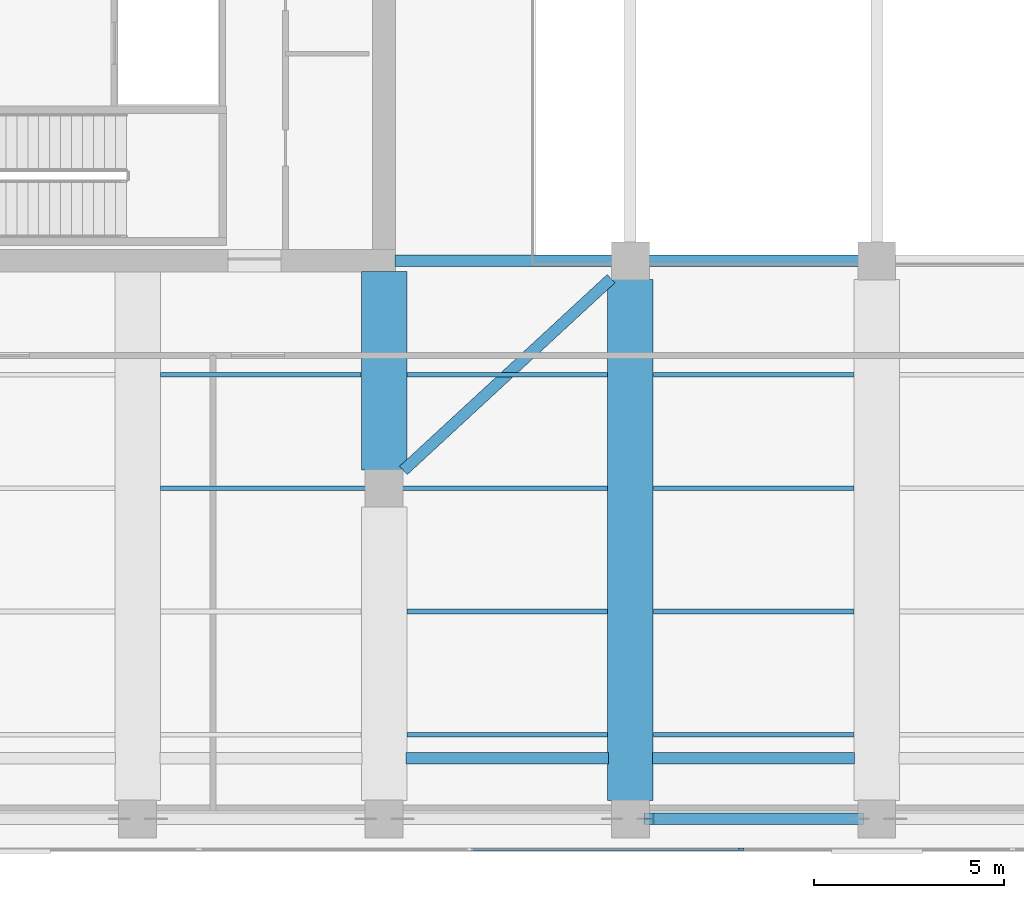
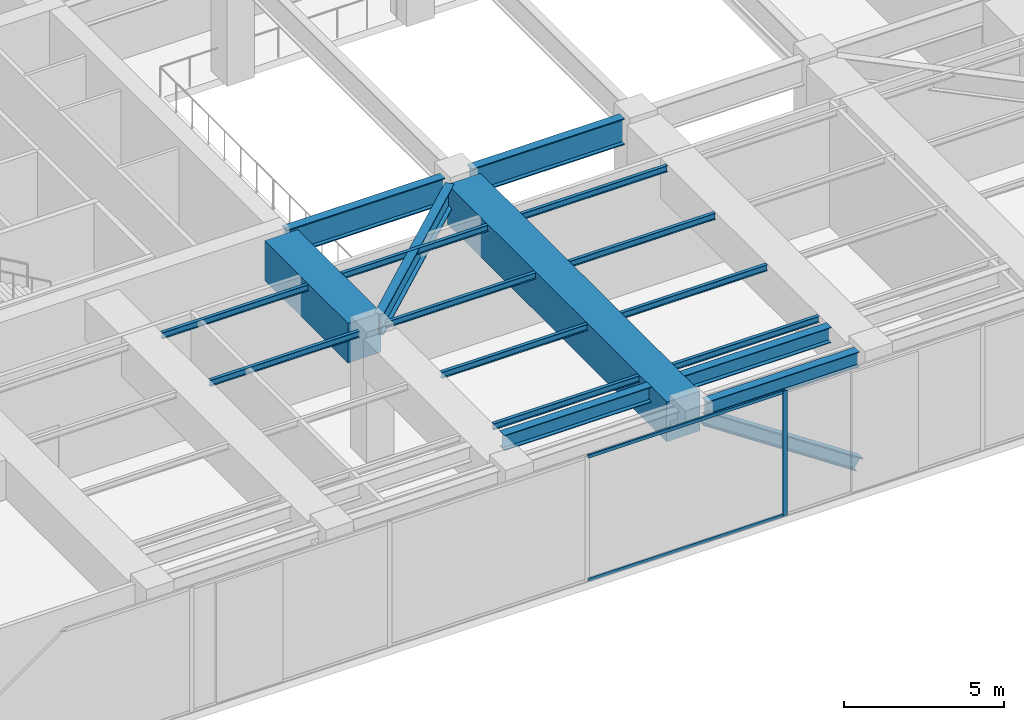
# One storey, part 3 of 28: 18 beams, 4 members, 1 element without a shape of its own.
"""IFC4 building model written with IfcOpenShell, lengths in metres."""

import ifcopenshell
import ifcopenshell.guid

model = None  # the IFC model being written
_history = None  # IfcOwnerHistory: only IFC2X3 demands one
_inside = {}  # id of a spatial element -> (the spatial element, [elements in it])
_under = {}  # id of a project, library or spatial element -> (it, [spatial elements below it])
_declared = {}  # id of a project -> (the project, [libraries it declares])
_typed = {}  # id of a type object -> (the type object, [elements of that type])
_made_of = {}  # id of a material, layer set ... -> (it, [elements and type objects made of it])


def new_model(schema):
    """Start an empty IFC model of exactly this schema.

    Asked for "IFC4X3", IfcOpenShell would pick the latest addendum, in which some entities
    have other attributes; the version numbers below select the first issue.
    IFC2X3 requires an IfcOwnerHistory on every rooted entity: one is made here for all.
    """
    global model, _history
    if schema == "IFC4X3":
        model = ifcopenshell.file(schema_version=(4, 3, 0, 0))
    else:
        model = ifcopenshell.file(schema=schema)
    _inside.clear()
    _under.clear()
    _declared.clear()
    _typed.clear()
    _made_of.clear()
    _history = None
    if model.schema == "IFC2X3":
        org = make("IfcOrganization", Name="unknown")
        user = make(
            "IfcPersonAndOrganization",
            ThePerson=make("IfcPerson", FamilyName="unknown"),
            TheOrganization=org,
        )
        app = make(
            "IfcApplication",
            ApplicationDeveloper=org,
            Version="unknown",
            ApplicationFullName="unknown",
            ApplicationIdentifier="unknown",
        )
        _history = make(
            "IfcOwnerHistory",
            OwningUser=user,
            OwningApplication=app,
            ChangeAction="ADDED",
            CreationDate=0,
        )
    return model


def make(cls, **values):
    """One entity of the class cls with the attributes given. An attribute that is None is left unset."""
    return model.create_entity(
        cls, **{name: value for name, value in values.items() if value is not None}
    )


def rooted(cls, **values):
    """An entity with a GlobalId (a new one), such as an element, a storey or a relation."""
    return make(cls, GlobalId=ifcopenshell.guid.new(), OwnerHistory=_history, **values)


def si_unit(unit_type, name, prefix=None):
    """IfcSIUnit, for example si_unit("LENGTHUNIT", "METRE", prefix="MILLI")."""
    return make("IfcSIUnit", UnitType=unit_type, Prefix=prefix, Name=name)


def assignment(units):
    """IfcUnitAssignment: the units of a project."""
    return None if units is None else make("IfcUnitAssignment", Units=units)


def point(xyz):
    """IfcCartesianPoint."""
    return None if xyz is None else make("IfcCartesianPoint", Coordinates=xyz)


def direction(xyz):
    """IfcDirection."""
    return None if xyz is None else make("IfcDirection", DirectionRatios=xyz)


def frame(location, z_axis=None, x_axis=None):
    """IfcAxis2Placement3D, a coordinate frame: its origin and axes. An axis left out is left unset."""
    return make(
        "IfcAxis2Placement3D",
        Location=point(location),
        Axis=direction(z_axis),
        RefDirection=direction(x_axis),
    )


def frame_2d(location, x_axis=None):
    """IfcAxis2Placement2D, a coordinate frame in the plane: its origin and x axis."""
    return make(
        "IfcAxis2Placement2D", Location=point(location), RefDirection=direction(x_axis)
    )


def origin():
    """The frame at (0, 0, 0) with its axes left unset."""
    return frame((0.0, 0.0, 0.0))


def origin_2d():
    """The frame at (0, 0) in the plane with its x axis left unset."""
    return frame_2d((0.0, 0.0))


def place(relative_to, where):
    """IfcLocalPlacement: puts the frame where relative to a parent placement (None: the world)."""
    return make(
        "IfcLocalPlacement", PlacementRelTo=relative_to, RelativePlacement=where
    )


def context(
    kind, dimensions, precision=None, world=None, true_north=None, identifier=None
):
    """IfcGeometricRepresentationContext, for example the 3D "Model" context."""
    return make(
        "IfcGeometricRepresentationContext",
        ContextIdentifier=identifier,
        ContextType=kind,
        CoordinateSpaceDimension=dimensions,
        Precision=precision,
        WorldCoordinateSystem=world,
        TrueNorth=true_north,
    )


def subcontext(parent, identifier, kind, view, scale=None):
    """IfcGeometricRepresentationSubContext, for example "Body" below "Model"."""
    return make(
        "IfcGeometricRepresentationSubContext",
        ContextIdentifier=identifier,
        ContextType=kind,
        ParentContext=parent,
        TargetScale=scale,
        TargetView=view,
    )


def project(units=None, contexts=None):
    """IfcProject with its units and contexts."""
    return rooted(
        "IfcProject",
        Name="project",
        RepresentationContexts=contexts,
        UnitsInContext=assignment(units),
    )


def spatial(cls, under=None, at=None, **own):
    """A site, building, storey or space (cls), placed at a placement, below another one or the project."""
    s = rooted(cls, ObjectPlacement=at, **own)
    if under is not None:
        _under.setdefault(under.id(), (under, []))[1].append(s)
    return s


def profile(cls, at=None, kind="AREA", **sizes):
    """A parametric profile (cls). Its sizes go by their IFC names, for example OverallWidth=200.0."""
    return make(cls, ProfileType=kind, Position=at, **sizes)


def rectangle(**sizes):
    """IfcRectangleProfileDef."""
    return profile("IfcRectangleProfileDef", **sizes)


def i_section(**sizes):
    """IfcIShapeProfileDef."""
    return profile("IfcIShapeProfileDef", **sizes)


def extrude(swept, where, along, depth):
    """IfcExtrudedAreaSolid: the profile swept, set in the frame where, extruded along a direction by depth."""
    return make(
        "IfcExtrudedAreaSolid",
        SweptArea=swept,
        Position=where,
        ExtrudedDirection=direction(along),
        Depth=depth,
    )


def shape(context_of_items, identifier, shape_type, items):
    """IfcShapeRepresentation: the items that make up one representation, for example the "Body"."""
    return make(
        "IfcShapeRepresentation",
        ContextOfItems=context_of_items,
        RepresentationIdentifier=identifier,
        RepresentationType=shape_type,
        Items=items,
    )


def material(Name=None, Category=None):
    """IfcMaterial."""
    return make("IfcMaterial", Name=Name, Category=Category)


def layer(
    of_material, thickness, ventilated=None, Name=None, Category=None, Priority=None
):
    """IfcMaterialLayer: one layer of a wall or slab, of a material (None: an air gap)."""
    return make(
        "IfcMaterialLayer",
        Material=of_material,
        LayerThickness=thickness,
        IsVentilated=ventilated,
        Name=Name,
        Category=Category,
        Priority=Priority,
    )


def layer_set(layers, Name=None):
    """IfcMaterialLayerSet."""
    return make("IfcMaterialLayerSet", MaterialLayers=layers, LayerSetName=Name)


def material_profile(
    of_material, cross_section, Name=None, Category=None, Priority=None
):
    """IfcMaterialProfile: a cross section and its material."""
    return make(
        "IfcMaterialProfile",
        Name=Name,
        Material=of_material,
        Profile=cross_section,
        Priority=Priority,
        Category=Category,
    )


def profile_set(profiles, Name=None, composite=None):
    """IfcMaterialProfileSet."""
    return make(
        "IfcMaterialProfileSet",
        Name=Name,
        MaterialProfiles=profiles,
        CompositeProfile=composite,
    )


def made_of(thing, what):
    """Note that an element or type object is made of a material, layer set ...; save() writes the relation."""
    if what is not None:
        _made_of.setdefault(what.id(), (what, []))[1].append(thing)
    return thing


def type_object(cls, material=None, **own):
    """A type object (cls), such as IfcWallType, which elements share."""
    return made_of(rooted(cls, **own), material)


def element(
    cls,
    number,
    at=None,
    inside=None,
    cuts=None,
    type_object=None,
    material=None,
    context=None,
    identifier="Body",
    shape_type=None,
    held_by="IfcProductDefinitionShape",
    body=None,
    shapes=None,
    **own,
):
    """One element of the class cls, such as IfcWall. Its Tag is "e" and its number.

    at: its placement. inside: the storey or other place that contains it. cuts: it is an
    opening in that element (IfcRelVoidsElement). A single representation is given by context,
    identifier, shape_type and body (its items); several are given by shapes. held_by: the class
    of the entity that holds the representations. save() writes the other relations.
    """
    e = rooted(cls, Tag="e%d" % number, ObjectPlacement=at, **own)
    if body is not None:
        shapes = [shape(context, identifier, shape_type, body)]
    if shapes is not None:
        e.Representation = make(held_by, Representations=shapes)
    if inside is not None:
        _inside.setdefault(inside.id(), (inside, []))[1].append(e)
    if cuts is not None:
        rooted(
            "IfcRelVoidsElement", RelatingBuildingElement=cuts, RelatedOpeningElement=e
        )
    if type_object is not None:
        _typed.setdefault(type_object.id(), (type_object, []))[1].append(e)
    return made_of(e, material)


def aggregate(whole, parts):
    """IfcRelAggregates: a whole, such as a stair, and the parts it consists of."""
    return rooted("IfcRelAggregates", RelatingObject=whole, RelatedObjects=parts)


def save(model, path):
    """Write the relations noted so far, then the file.

    IfcRelAggregates (storeys below a building ...), IfcRelContainedInSpatialStructure (elements
    in a storey), IfcRelDefinesByType, IfcRelAssociatesMaterial and IfcRelDeclares: one each for
    every whole, place, type object, material and project.
    """
    for whole, parts in _under.values():
        aggregate(whole, parts)
    for where, things in _inside.values():
        rooted(
            "IfcRelContainedInSpatialStructure",
            RelatedElements=things,
            RelatingStructure=where,
        )
    for kind, things in _typed.values():
        rooted("IfcRelDefinesByType", RelatedObjects=things, RelatingType=kind)
    for what, things in _made_of.values():
        rooted("IfcRelAssociatesMaterial", RelatedObjects=things, RelatingMaterial=what)
    for by, libraries in _declared.values():
        rooted("IfcRelDeclares", RelatingContext=by, RelatedDefinitions=libraries)
    model.write(path)


model = new_model("IFC4")

# Units and contexts
model_context = context("Model", 3, precision=1e-05, world=origin(), true_north=direction((0.0, 1.0)))
body_context = subcontext(model_context, "Body", "Model", "MODEL_VIEW")
ifc_project = project(units=[si_unit("LENGTHUNIT", "METRE"), si_unit("AREAUNIT", "SQUARE_METRE"), si_unit("VOLUMEUNIT", "CUBIC_METRE"), si_unit("PLANEANGLEUNIT", "RADIAN"), si_unit("MASSUNIT", "GRAM", prefix="KILO")], contexts=[model_context])

# Site, building, storey
site_placement = place(None, origin())
site = spatial("IfcSite", under=ifc_project, at=site_placement, CompositionType="ELEMENT")
building_placement = place(site_placement, origin())
building = spatial("IfcBuilding", under=site, at=building_placement, Name="Putna Gate Headquarters", CompositionType="ELEMENT")
storey_placement = place(building_placement, frame((0.0, 0.0, 197.39990234375)))
storey = spatial("IfcBuildingStorey", under=building, at=storey_placement, Name="L49", CompositionType="ELEMENT", Elevation=197.39990234375)

# Beams
ifc_material_1 = material(Name="Steel S355J2", Category="steel")
ifc_material_profile_1 = material_profile(ifc_material_1, i_section(OverallWidth=0.300048828125, OverallDepth=0.800048828125, WebThickness=0.017578125, FlangeThickness=0.032958984375, at=origin_2d()), Name="Steel S355J2")
ifc_profile_set_1 = profile_set([ifc_material_profile_1], Name="Steel S355J2")
beam_type_1 = type_object("IfcBeamType", Name="BM-GIRD-P-HEB800", PredefinedType="USERDEFINED", material=ifc_profile_set_1)
beam_1_placement = place(storey_placement, frame((26.510498046875, 13.47119140625, 4.380126953125), z_axis=(0.734798423453, 0.678285542298, 0.0), x_axis=(-0.678285542298, 0.734798423453, 0.0)))
element("IfcBeam", 1, at=beam_1_placement, inside=storey, type_object=beam_type_1, Name="L49 Core Flank Collector Tie Girder SW", ObjectType="GIRDER", PredefinedType="USERDEFINED", context=body_context, shape_type="SweptSolid", body=[
    extrude(i_section(OverallWidth=0.300048828125, OverallDepth=0.800048828125, WebThickness=0.017578125, FlangeThickness=0.032958984375, at=origin_2d()), origin(), (0.0, 0.0, 1.0), 7.45654296875),
])
ifc_material_profile_2 = material_profile(ifc_material_1, i_section(OverallWidth=0.1201171875, OverallDepth=0.239990234375, WebThickness=0.006103515625, FlangeThickness=0.009765625, at=origin_2d()), Name="Steel S355J2")
ifc_profile_set_2 = profile_set([ifc_material_profile_2], Name="Steel S355J2")
beam_type_2 = type_object("IfcBeamType", Name="BM-SEC-Z4-IPE240", PredefinedType="JOIST", material=ifc_profile_set_2)
beam_2_placement = place(storey_placement, frame((20.10400390625, 13.0, 4.66015625), z_axis=(1.0, 0.0, 0.0), x_axis=(0.0, 1.0, 0.0)))
element("IfcBeam", 2, at=beam_2_placement, inside=storey, type_object=beam_type_2, Name="L49 South Secondary Beam 2", PredefinedType="JOIST", context=body_context, shape_type="SweptSolid", body=[
    extrude(i_section(OverallWidth=0.1201171875, OverallDepth=0.239990234375, WebThickness=0.006103515625, FlangeThickness=0.009765625, at=origin_2d()), origin(), (0.0, 0.0, 1.0), 5.407958984375),
])
for number, where, z_axis, x_axis, name in (
    (3, (20.10400390625, 16.0, 4.66015625), (1.0, 0.0, 0.0), (0.0, 1.0, 0.0), "L49 South Secondary Beam 2"),
    (4, (26.60400390625, 6.5, 4.66015625), (1.0, 0.0, 0.0), (0.0, 1.0, 0.0), "L49 South Secondary Beam 3"),
    (5, (26.60400390625, 9.75, 4.66015625), (1.0, 0.0, 0.0), (0.0, 1.0, 0.0), "L49 South Secondary Beam 3"),
):
    element("IfcBeam", number, at=place(storey_placement, frame(where, z_axis=z_axis, x_axis=x_axis)), inside=storey, type_object=beam_type_2, Name=name, PredefinedType="JOIST", context=body_context, shape_type="SweptSolid", body=[
        extrude(i_section(OverallWidth=0.1201171875, OverallDepth=0.239990234375, WebThickness=0.006103515625, FlangeThickness=0.009765625, at=origin_2d()), origin(), (0.0, 0.0, 1.0), 5.2919921875),
    ])
beam_3_placement = place(storey_placement, frame((26.488037109375, 13.0, 4.66015625), z_axis=(1.0, 0.0, 0.0), x_axis=(0.0, 1.0, 0.0)))
element("IfcBeam", 6, at=beam_3_placement, inside=storey, type_object=beam_type_2, Name="L49 South Secondary Beam 3", PredefinedType="JOIST", context=body_context, shape_type="SweptSolid", body=[
    extrude(i_section(OverallWidth=0.1201171875, OverallDepth=0.239990234375, WebThickness=0.006103515625, FlangeThickness=0.009765625, at=origin_2d()), origin(), (0.0, 0.0, 1.0), 5.407958984375),
])
for number, where, z_axis, x_axis, name in (
    (7, (26.60400390625, 16.0, 4.66015625), (1.0, 0.0, 0.0), (0.0, 1.0, 0.0), "L49 South Secondary Beam 3"),
    (8, (33.10400390625, 6.5, 4.66015625), (1.0, 0.0, 0.0), (0.0, 1.0, 0.0), "L49 South Secondary Beam 4"),
    (9, (33.10400390625, 9.75, 4.66015625), (1.0, 0.0, 0.0), (0.0, 1.0, 0.0), "L49 South Secondary Beam 4"),
    (10, (33.10400390625, 13.0, 4.66015625), (1.0, 0.0, 0.0), (0.0, 1.0, 0.0), "L49 South Secondary Beam 4"),
    (11, (33.10400390625, 16.0, 4.66015625), (1.0, 0.0, 0.0), (0.0, 1.0, 0.0), "L49 South Secondary Beam 4"),
):
    element("IfcBeam", number, at=place(storey_placement, frame(where, z_axis=z_axis, x_axis=x_axis)), inside=storey, type_object=beam_type_2, Name=name, PredefinedType="JOIST", context=body_context, shape_type="SweptSolid", body=[
        extrude(i_section(OverallWidth=0.1201171875, OverallDepth=0.239990234375, WebThickness=0.006103515625, FlangeThickness=0.009765625, at=origin_2d()), origin(), (0.0, 0.0, 1.0), 5.2919921875),
    ])
ifc_material_profile_3 = material_profile(ifc_material_1, i_section(OverallWidth=0.300048828125, OverallDepth=0.590087890625, WebThickness=0.012939453125, FlangeThickness=0.02490234375, at=origin_2d()), Name="Steel S355J2")
ifc_profile_set_3 = profile_set([ifc_material_profile_3], Name="Steel S355J2")
beam_type_3 = type_object("IfcBeamType", Name="BM-SPAN-Z4-HEA600", PredefinedType="SPANDREL", material=ifc_profile_set_3)
beam_4_placement = place(storey_placement, frame((32.988037109375, 4.280029296875, 4.485107421875), z_axis=(1.0, 0.0, 0.0), x_axis=(0.0, 1.0, 0.0)))
element("IfcBeam", 12, at=beam_4_placement, inside=storey, type_object=beam_type_3, Name="L49 S Perimeter Spandrel 4", PredefinedType="SPANDREL", context=body_context, shape_type="SweptSolid", body=[
    extrude(i_section(OverallWidth=0.300048828125, OverallDepth=0.590087890625, WebThickness=0.012939453125, FlangeThickness=0.02490234375, at=origin_2d()), origin(), (0.0, 0.0, 1.0), 5.52392578125),
])
for number, where, z_axis, x_axis, name in (
    (13, (26.5849609375, 5.8798828125, 4.485107421875), (1.0, 0.0, 0.0), (0.0, 1.0, 0.0), "L49 Setback Edge Beam S3"),
    (14, (33.0849609375, 5.8798828125, 4.485107421875), (1.0, 0.0, 0.0), (0.0, 1.0, 0.0), "L49 Setback Edge Beam S4"),
):
    element("IfcBeam", number, at=place(storey_placement, frame(where, z_axis=z_axis, x_axis=x_axis)), inside=storey, type_object=beam_type_3, Name=name, PredefinedType="SPANDREL", context=body_context, shape_type="SweptSolid", body=[
        extrude(i_section(OverallWidth=0.300048828125, OverallDepth=0.590087890625, WebThickness=0.012939453125, FlangeThickness=0.02490234375, at=origin_2d()), origin(), (0.0, 0.0, 1.0), 5.330078125),
    ])
ifc_material_2 = material(Name="Steel S460M", Category="steel")
ifc_material_profile_4 = material_profile(ifc_material_2, i_section(OverallWidth=0.302001953125, OverallDepth=1.008056640625, WebThickness=0.02099609375, FlangeThickness=0.0400390625, at=origin_2d()), Name="Steel S460M")
ifc_profile_set_4 = profile_set([ifc_material_profile_4], Name="Steel S460M")
beam_type_4 = type_object("IfcBeamType", Name="BM-TG-HEM1000", PredefinedType="USERDEFINED", material=ifc_profile_set_4)
beam_5_placement = place(storey_placement, frame((26.284912109375, 19.0, 4.276123046875), z_axis=(1.0, 0.0, 0.0), x_axis=(0.0, 1.0, 0.0)))
element("IfcBeam", 15, at=beam_5_placement, inside=storey, type_object=beam_type_4, Name="L49 Atrium Edge Beam AS1", ObjectType="GIRDER", PredefinedType="USERDEFINED", context=body_context, shape_type="SweptSolid", body=[
    extrude(i_section(OverallWidth=0.302001953125, OverallDepth=1.008056640625, WebThickness=0.02099609375, FlangeThickness=0.0400390625, at=origin_2d()), origin(), (0.0, 0.0, 1.0), 5.72705078125),
])
beam_6_placement = place(storey_placement, frame((32.988037109375, 19.0, 4.276123046875), z_axis=(1.0, 0.0, 0.0), x_axis=(0.0, 1.0, 0.0)))
element("IfcBeam", 16, at=beam_6_placement, inside=storey, type_object=beam_type_4, Name="L49 Atrium Edge Beam AS2", ObjectType="GIRDER", PredefinedType="USERDEFINED", context=body_context, shape_type="SweptSolid", body=[
    extrude(i_section(OverallWidth=0.302001953125, OverallDepth=1.008056640625, WebThickness=0.02099609375, FlangeThickness=0.0400390625, at=origin_2d()), origin(), (0.0, 0.0, 1.0), 5.52392578125),
])
ifc_material_3 = material(Name="Concrete C50/60", Category="concrete")
ifc_material_profile_5 = material_profile(ifc_material_3, rectangle(XDim=1.199951171875, YDim=1.52001953125, at=origin_2d()), Name="Concrete C50/60")
ifc_profile_set_5 = profile_set([ifc_material_profile_5], Name="Concrete C50/60")
beam_type_5 = type_object("IfcBeamType", Name="BM-TG-RC1520", PredefinedType="USERDEFINED", material=ifc_profile_set_5)
beam_7_placement = place(storey_placement, frame((26.0, 13.488037109375, 4.02001953125), z_axis=(0.0, 1.0, 0.0), x_axis=(-1.0, 0.0, 0.0)))
element("IfcBeam", 17, at=beam_7_placement, inside=storey, type_object=beam_type_5, Name="L49 South Primary Girder X26-2", ObjectType="GIRDER", PredefinedType="USERDEFINED", context=body_context, shape_type="SweptSolid", body=[
    extrude(rectangle(XDim=1.199951171875, YDim=1.52001953125, at=origin_2d()), origin(), (0.0, 0.0, 1.0), 5.22705078125),
])
beam_8_placement = place(storey_placement, frame((32.5, 4.76806640625, 4.02001953125), z_axis=(0.0, 1.0, 0.0), x_axis=(-1.0, 0.0, 0.0)))
element("IfcBeam", 18, at=beam_8_placement, inside=storey, type_object=beam_type_5, Name="L49 South Primary Girder X32", ObjectType="GIRDER", PredefinedType="USERDEFINED", context=body_context, shape_type="SweptSolid", body=[
    extrude(rectangle(XDim=1.199951171875, YDim=1.52001953125, at=origin_2d()), origin(), (0.0, 0.0, 1.0), 13.743896484375),
])

# Member
ifc_material_profile_6 = material_profile(ifc_material_2, i_section(OverallWidth=0.306884765625, OverallDepth=0.47802734375, WebThickness=0.02099609375, FlangeThickness=0.0400390625, at=origin_2d()), Name="Steel S460M")
ifc_profile_set_6 = profile_set([ifc_material_profile_6], Name="Steel S460M")
member_type_1 = type_object("IfcMemberType", Name="MEM-BELT-DIAG-HEM450", PredefinedType="BRACE", material=ifc_profile_set_6)
member_1_placement = place(storey_placement, frame((32.985107421875, 4.280029296875, 4.130126953125), z_axis=(0.832508038541, 0.0, -0.554012965339), x_axis=(0.0, 1.0, 0.0)))
element("IfcMember", 19, at=member_1_placement, inside=storey, type_object=member_type_1, Name="L49 Belt Truss Diagonal S4", PredefinedType="BRACE", context=body_context, shape_type="SweptSolid", body=[
    extrude(i_section(OverallWidth=0.306884765625, OverallDepth=0.47802734375, WebThickness=0.02099609375, FlangeThickness=0.0400390625, at=origin_2d()), origin(), (0.0, 0.0, 1.0), 6.642333984375),
])

# Curtain wall, members
ifc_material_4 = material(Name="Anodised bronze aluminium curtain wall", Category="aluminium")
ifc_layer = layer(ifc_material_4, 0.159912109375)
ifc_layer_set = layer_set([ifc_layer], Name="Anodised bronze aluminium curtain wall")
curtain_wall_type = type_object("IfcCurtainWallType", Name="CW-SYS-CRN", PredefinedType="USERDEFINED", material=ifc_layer_set)
curtain_wall_placement = place(storey_placement, origin())
curtain_wall = element("IfcCurtainWall", 20, at=curtain_wall_placement, inside=storey, type_object=curtain_wall_type, Name="L49 Acoustic Louvre South Enclosure", ObjectType="STICK CURTAIN WALL", PredefinedType="USERDEFINED")
ifc_material_5 = material(Name="Anodised bronze aluminium EN AW-6060", Category="aluminium")
ifc_material_profile_7 = material_profile(ifc_material_5, rectangle(XDim=0.06494140625, YDim=0.159912109375, at=origin_2d()), Name="Anodised bronze aluminium EN AW-6060")
ifc_profile_set_7 = profile_set([ifc_material_profile_7], Name="Anodised bronze aluminium EN AW-6060")
member_type_2 = type_object("IfcMemberType", Name="MULL-CWM-CR", PredefinedType="MULLION", material=ifc_profile_set_7)
member_2_placement = place(storey_placement, frame((35.422119140625, 3.47998046875, 0.0), z_axis=(0.0, 0.0, 1.0), x_axis=(0.0, 1.0, 0.0)))
member_2 = element("IfcMember", 21, at=member_2_placement, type_object=member_type_2, Name="CWS-CR mullion 5", PredefinedType="MULLION", context=body_context, shape_type="SweptSolid", body=[
    extrude(rectangle(XDim=0.06494140625, YDim=0.159912109375, at=origin_2d()), origin(), (0.0, 0.0, 1.0), 4.780029296875),
])
ifc_material_profile_8 = material_profile(ifc_material_5, rectangle(XDim=0.06494140625, YDim=0.1201171875, at=origin_2d()), Name="Anodised bronze aluminium EN AW-6060")
ifc_profile_set_8 = profile_set([ifc_material_profile_8], Name="Anodised bronze aluminium EN AW-6060")
member_type_3 = type_object("IfcMemberType", Name="TRAN-CWT-CR", PredefinedType="USERDEFINED", material=ifc_profile_set_8)
member_3_placement = place(storey_placement, frame((28.299072265625, 3.47998046875, 0.03271484375), z_axis=(1.0, 0.0, 0.0), x_axis=(0.0, 1.0, 0.0)))
member_3 = element("IfcMember", 22, at=member_3_placement, type_object=member_type_3, Name="CWS-CR transom 4.1", ObjectType="TRANSOM", PredefinedType="USERDEFINED", context=body_context, shape_type="SweptSolid", body=[
    extrude(rectangle(XDim=0.06494140625, YDim=0.1201171875, at=origin_2d()), origin(), (0.0, 0.0, 1.0), 7.090576171875),
])
member_4_placement = place(storey_placement, frame((28.299072265625, 3.47998046875, 4.74755859375), z_axis=(1.0, 0.0, 0.0), x_axis=(0.0, 1.0, 0.0)))
member_4 = element("IfcMember", 23, at=member_4_placement, type_object=member_type_3, Name="CWS-CR transom 4.2", ObjectType="TRANSOM", PredefinedType="USERDEFINED", context=body_context, shape_type="SweptSolid", body=[
    extrude(rectangle(XDim=0.06494140625, YDim=0.1201171875, at=origin_2d()), origin(), (0.0, 0.0, 1.0), 7.090576171875),
])
aggregate(curtain_wall, [member_2, member_3, member_4])

save(model, "model.ifc")
